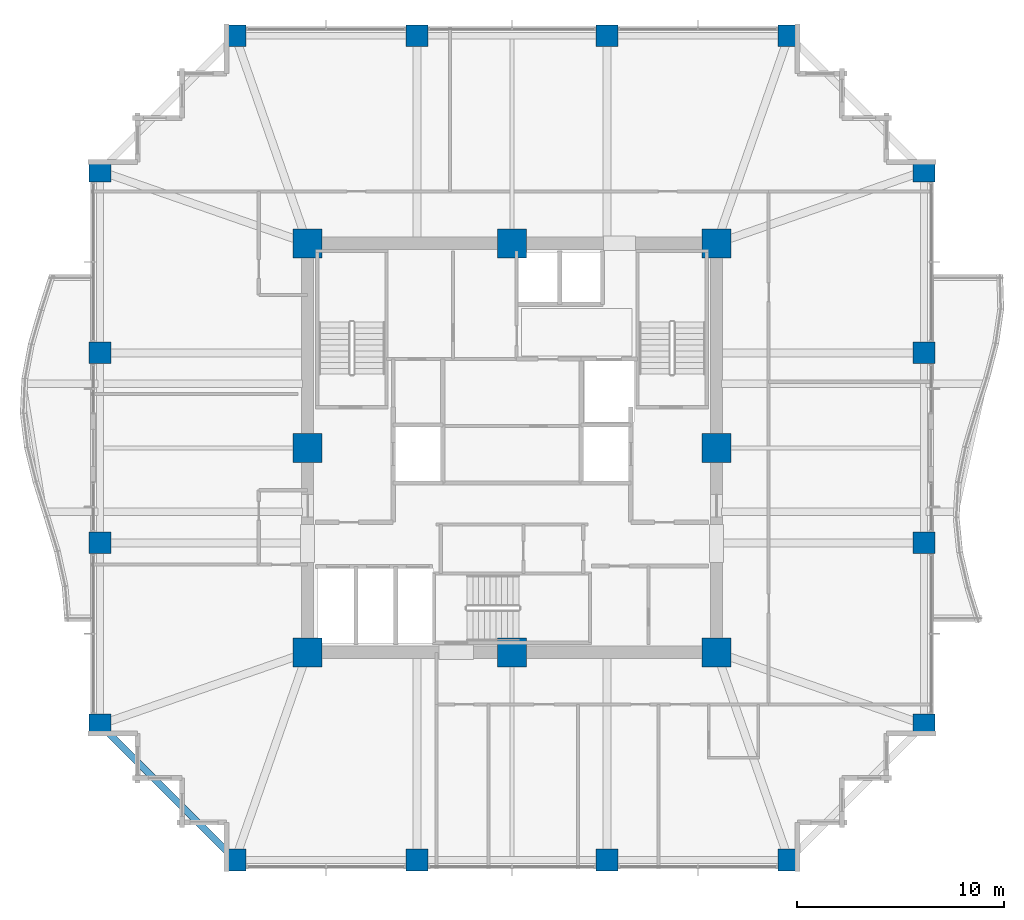
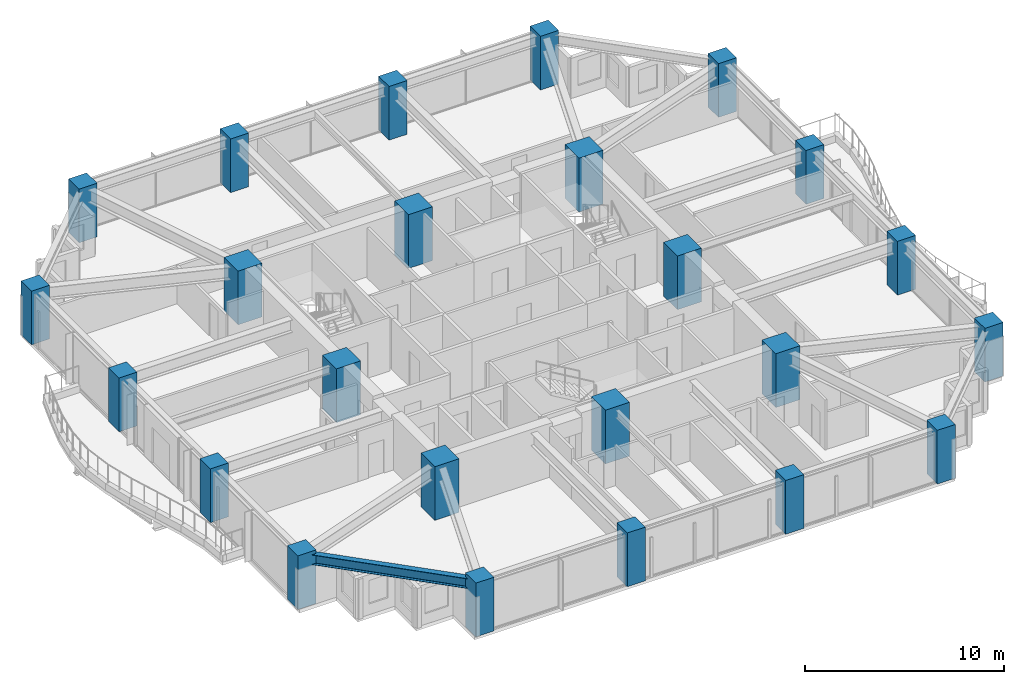
# One storey, part 1 of 36: 24 columns, 1 beam.
"""IFC4 building model written with IfcOpenShell, lengths in metres."""

from ifc_helpers import new_model, si_unit, direction, frame, origin, origin_2d, place, context, subcontext, project, spatial, rectangle, i_section, extrude, material, material_profile, profile_set, type_object, element, save


model = new_model("IFC4")

# Units and contexts
model_context = context("Model", 3, precision=1e-05, world=origin(), true_north=direction((0.0, 1.0)))
body_context = subcontext(model_context, "Body", "Model", "MODEL_VIEW")
ifc_project = project(units=[si_unit("LENGTHUNIT", "METRE"), si_unit("AREAUNIT", "SQUARE_METRE"), si_unit("VOLUMEUNIT", "CUBIC_METRE"), si_unit("PLANEANGLEUNIT", "RADIAN"), si_unit("MASSUNIT", "GRAM", prefix="KILO")], contexts=[model_context])

# Site, building, storey
site_placement = place(None, origin())
site = spatial("IfcSite", under=ifc_project, at=site_placement, CompositionType="ELEMENT")
building_placement = place(site_placement, origin())
building = spatial("IfcBuilding", under=site, at=building_placement, Name="Kolvaren Belvedere", CompositionType="ELEMENT")
storey_placement = place(building_placement, frame((0.0, 0.0, 95.300048828125)))
storey = spatial("IfcBuildingStorey", under=building, at=storey_placement, Name="L27", CompositionType="ELEMENT", Elevation=95.300048828125)

# Columns
ifc_material_1 = material(Name="Concrete C50/60", Category="concrete")
ifc_material_profile_1 = material_profile(ifc_material_1, rectangle(XDim=1.050048828125, YDim=1.050048828125, at=origin_2d()), Name="RC 1050X1050")
ifc_profile_set_1 = profile_set([ifc_material_profile_1], Name="Concrete C50/60")
column_type_1 = type_object("IfcColumnType", Name="COL-RC-1050", PredefinedType="COLUMN", material=ifc_profile_set_1)
for number, where, z_axis, x_axis, name in (
    (1, (-13.39990234375, -19.949951171875, 0.0), (0.0, 0.0, 1.0), (1.0, 0.0, 0.0), "L27 Perimeter Column S1"),
    (2, (-4.60009765625, -19.949951171875, 0.0), (0.0, 0.0, 1.0), (1.0, 0.0, 0.0), "L27 Perimeter Column S2"),
    (3, (4.60009765625, -19.949951171875, 0.0), (0.0, 0.0, 1.0), (1.0, 0.0, 0.0), "L27 Perimeter Column S3"),
    (4, (13.39990234375, -19.949951171875, 0.0), (0.0, 0.0, 1.0), (1.0, 0.0, 0.0), "L27 Perimeter Column S4"),
    (5, (-13.39990234375, 19.949951171875, 0.0), (0.0, 0.0, 1.0), (1.0, 0.0, 0.0), "L27 Perimeter Column N1"),
    (6, (-4.60009765625, 19.949951171875, 0.0), (0.0, 0.0, 1.0), (1.0, 0.0, 0.0), "L27 Perimeter Column N2"),
    (7, (4.60009765625, 19.949951171875, 0.0), (0.0, 0.0, 1.0), (1.0, 0.0, 0.0), "L27 Perimeter Column N3"),
    (8, (13.39990234375, 19.949951171875, 0.0), (0.0, 0.0, 1.0), (1.0, 0.0, 0.0), "L27 Perimeter Column N4"),
    (9, (-19.949951171875, -13.39990234375, 0.0), (0.0, 0.0, 1.0), (1.0, 0.0, 0.0), "L27 Perimeter Column W1"),
    (10, (-19.949951171875, -4.60009765625, 0.0), (0.0, 0.0, 1.0), (1.0, 0.0, 0.0), "L27 Perimeter Column W2"),
    (11, (-19.949951171875, 4.60009765625, 0.0), (0.0, 0.0, 1.0), (1.0, 0.0, 0.0), "L27 Perimeter Column W3"),
    (12, (-19.949951171875, 13.39990234375, 0.0), (0.0, 0.0, 1.0), (1.0, 0.0, 0.0), "L27 Perimeter Column W4"),
    (13, (19.949951171875, -13.39990234375, 0.0), (0.0, 0.0, 1.0), (1.0, 0.0, 0.0), "L27 Perimeter Column E1"),
    (14, (19.949951171875, -4.60009765625, 0.0), (0.0, 0.0, 1.0), (1.0, 0.0, 0.0), "L27 Perimeter Column E2"),
    (15, (19.949951171875, 4.60009765625, 0.0), (0.0, 0.0, 1.0), (1.0, 0.0, 0.0), "L27 Perimeter Column E3"),
    (16, (19.949951171875, 13.39990234375, 0.0), (0.0, 0.0, 1.0), (1.0, 0.0, 0.0), "L27 Perimeter Column E4"),
):
    element("IfcColumn", number, at=place(storey_placement, frame(where, z_axis=z_axis, x_axis=x_axis)), inside=storey, type_object=column_type_1, Name=name, PredefinedType="COLUMN", context=body_context, shape_type="SweptSolid", body=[
        extrude(rectangle(XDim=1.050048828125, YDim=1.050048828125, at=origin_2d()), origin(), (0.0, 0.0, 1.0), 3.300048828125),
    ])
ifc_material_2 = material(Name="Concrete C60/75", Category="concrete")
ifc_material_profile_2 = material_profile(ifc_material_2, rectangle(XDim=1.39990234375, YDim=1.39990234375, at=origin_2d()), Name="RC 1400X1400")
ifc_profile_set_2 = profile_set([ifc_material_profile_2], Name="Concrete C60/75")
column_type_2 = type_object("IfcColumnType", Name="COL-RC-1400", PredefinedType="COLUMN", material=ifc_profile_set_2)
for number, where, z_axis, x_axis, name in (
    (17, (-9.89990234375, -9.89990234375, 0.0), (0.0, 0.0, 1.0), (1.0, 0.0, 0.0), "L27 Core Column CC1"),
    (18, (9.89990234375, -9.89990234375, 0.0), (0.0, 0.0, 1.0), (1.0, 0.0, 0.0), "L27 Core Column CC2"),
    (19, (9.89990234375, 9.89990234375, 0.0), (0.0, 0.0, 1.0), (1.0, 0.0, 0.0), "L27 Core Column CC3"),
    (20, (-9.89990234375, 9.89990234375, 0.0), (0.0, 0.0, 1.0), (1.0, 0.0, 0.0), "L27 Core Column CC4"),
    (21, (0.0, -9.89990234375, 0.0), (0.0, 0.0, 1.0), (1.0, 0.0, 0.0), "L27 Core Column CM1"),
    (22, (9.89990234375, 0.0, 0.0), (0.0, 0.0, 1.0), (1.0, 0.0, 0.0), "L27 Core Column CM2"),
    (23, (0.0, 9.89990234375, 0.0), (0.0, 0.0, 1.0), (1.0, 0.0, 0.0), "L27 Core Column CM3"),
    (24, (-9.89990234375, 0.0, 0.0), (0.0, 0.0, 1.0), (1.0, 0.0, 0.0), "L27 Core Column CM4"),
):
    element("IfcColumn", number, at=place(storey_placement, frame(where, z_axis=z_axis, x_axis=x_axis)), inside=storey, type_object=column_type_2, Name=name, PredefinedType="COLUMN", context=body_context, shape_type="SweptSolid", body=[
        extrude(rectangle(XDim=1.39990234375, YDim=1.39990234375, at=origin_2d()), origin(), (0.0, 0.0, 1.0), 3.300048828125),
    ])

# Beam
ifc_material_3 = material(Name="Structural steel ASTM A992 Grade 50", Category="steel")
ifc_material_profile_3 = material_profile(ifc_material_3, i_section(OverallWidth=0.324951171875, OverallDepth=0.615966796875, WebThickness=0.013916015625, FlangeThickness=0.021484375, FilletRadius=0.02001953125, at=origin_2d()), Name="W24X117")
ifc_profile_set_3 = profile_set([ifc_material_profile_3], Name="Structural steel ASTM A992 Grade 50")
beam_type = type_object("IfcBeamType", Name="BM-SPAN-W24X117", PredefinedType="SPANDREL", material=ifc_profile_set_3)
beam_placement = place(storey_placement, frame((-19.782958984375, -13.567138671875, 2.77197265625), z_axis=(0.707106781187, -0.707106781187, 0.0), x_axis=(0.707106781187, 0.707106781187, 0.0)))
element("IfcBeam", 25, at=beam_placement, inside=storey, type_object=beam_type, Name="L27 Perimeter Spandrel W1-S1", PredefinedType="SPANDREL", context=body_context, shape_type="SweptSolid", body=[
    extrude(i_section(OverallWidth=0.324951171875, OverallDepth=0.615966796875, WebThickness=0.013916015625, FlangeThickness=0.021484375, FilletRadius=0.02001953125, at=origin_2d()), origin(), (0.0, 0.0, 1.0), 8.79052734375),
])

save(model, "model.ifc")
